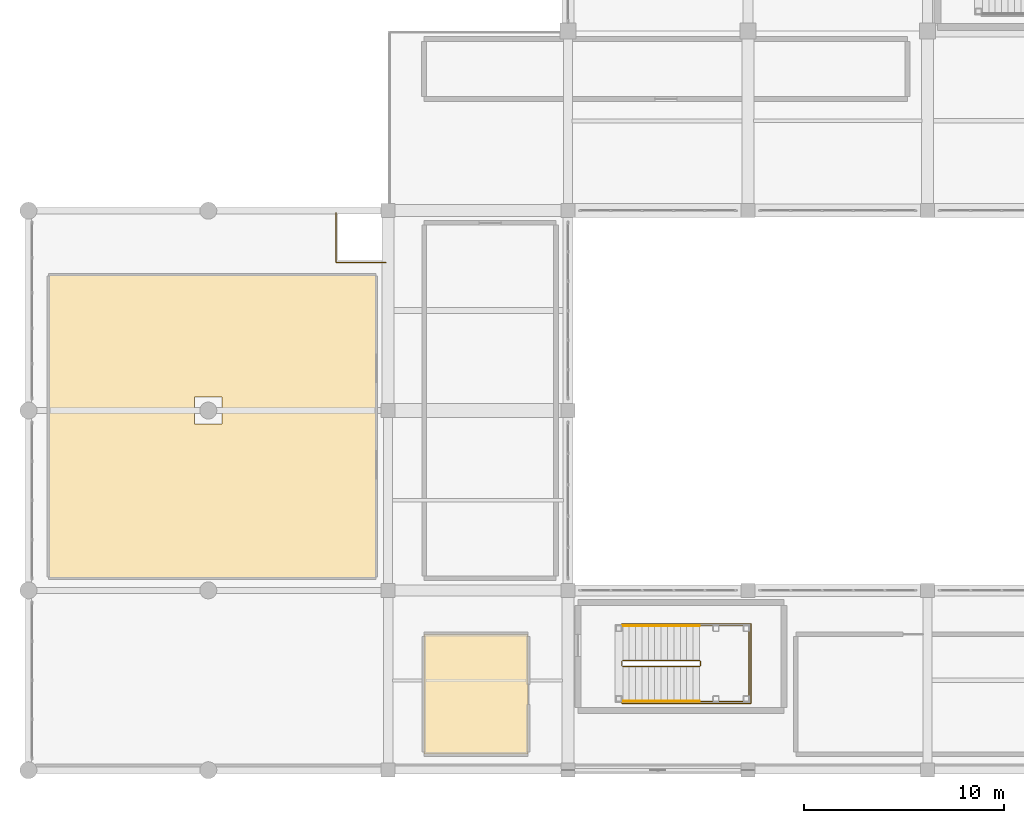
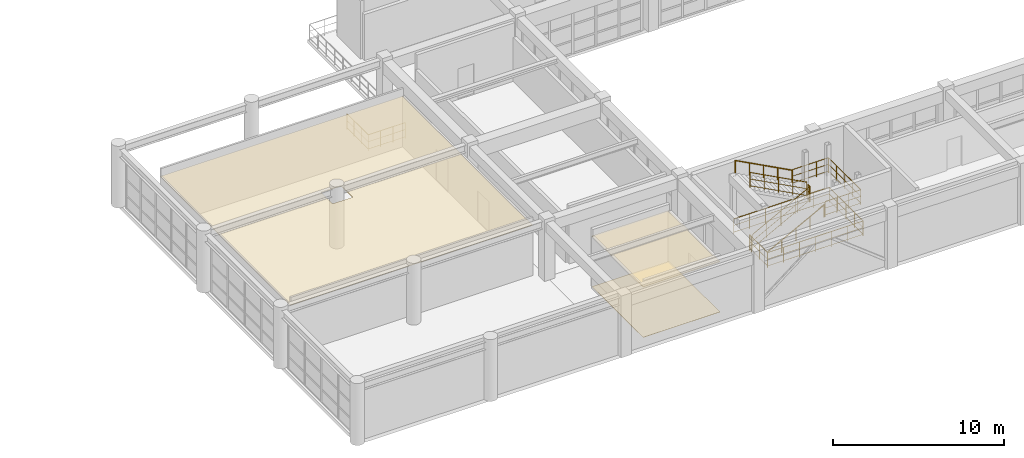
# One storey, part 119 of 133: 9 railings, 3 coverings.
"""IFC4 building model written with IfcOpenShell, lengths in metres."""

from ifc_helpers import new_model, si_unit, direction, frame, origin, origin_2d, place, context, subcontext, project, spatial, polyline, circle, outline, extrude, material, layer, layer_set, type_object, element, save


model = new_model("IFC4")

# Units and contexts
model_context = context("Model", 3, precision=1e-05, world=origin(), true_north=direction((0.0, 1.0)))
body_context = subcontext(model_context, "Body", "Model", "MODEL_VIEW")
ifc_project = project(units=[si_unit("LENGTHUNIT", "METRE"), si_unit("AREAUNIT", "SQUARE_METRE"), si_unit("VOLUMEUNIT", "CUBIC_METRE"), si_unit("PLANEANGLEUNIT", "RADIAN"), si_unit("MASSUNIT", "GRAM", prefix="KILO")], contexts=[model_context])

# Site, building, storey
site_placement = place(None, origin())
site = spatial("IfcSite", under=ifc_project, at=site_placement, CompositionType="ELEMENT")
building_placement = place(site_placement, origin())
building = spatial("IfcBuilding", under=site, at=building_placement, Name="Miravela Opera House", CompositionType="ELEMENT")
storey_placement = place(building_placement, frame((0.0, 0.0, 5.10009765625)))
storey = spatial("IfcBuildingStorey", under=building, at=storey_placement, Name="L01", CompositionType="ELEMENT", Elevation=5.10009765625)

# Coverings
ifc_material_1 = material(Name="Mineral-wool studio acoustic ceiling cloud")
ifc_layer_1 = layer(ifc_material_1, 0.050048828125)
ifc_layer_set_1 = layer_set([ifc_layer_1])
covering_type_1 = type_object("IfcCoveringType", Name="ARC-CEIL-BAFFLE-50", PredefinedType="CEILING", material=ifc_layer_set_1)
covering_1_placement = place(storey_placement, frame((0.0, 0.0, 3.600830078125)))
element("IfcCovering", 1, at=covering_1_placement, inside=storey, type_object=covering_type_1, Name="Principal Soloist Dressing Suite 1 Acoustic Ceiling", PredefinedType="CEILING", context=body_context, shape_type="SweptSolid", body=[
    extrude(outline(polyline([(19.800048828125, 0.800048828125), (25.0, 0.800048828125), (25.0, 6.800048828125), (19.800048828125, 6.800048828125), (19.800048828125, 0.800048828125)])), origin(), (0.0, 0.0, 1.0), 0.050048828125),
])
ifc_material_2 = material(Name="Spanish Colonial coffered lime-plaster ceiling")
ifc_layer_2 = layer(ifc_material_2, 0.0419921875)
ifc_layer_set_2 = layer_set([ifc_layer_2])
covering_type_2 = type_object("IfcCoveringType", Name="ARC-CEIL-COFFER-42", PredefinedType="CEILING", material=ifc_layer_set_2)
covering_2_placement = place(storey_placement, frame((0.0, 0.0, 3.536865234375)))
element("IfcCovering", 2, at=covering_2_placement, inside=storey, type_object=covering_type_2, Name="Hispanic Music Heritage Exhibition Gallery Acoustic Ceiling", PredefinedType="CEILING", context=body_context, shape_type="SweptSolid", body=[
    extrude(outline(polyline([(1.0, 9.60009765625), (17.39990234375, 9.60009765625), (17.39990234375, 24.800048828125), (1.0, 24.800048828125), (1.0, 9.60009765625)]), holes=[polyline([(8.319091796875, 17.319091796875), (9.680908203125, 17.319091796875), (9.680908203125, 18.680908203125), (8.319091796875, 18.680908203125), (8.319091796875, 17.319091796875)])]), origin(), (0.0, 0.0, 1.0), 0.0419921875),
])
ifc_material_3 = material(Name="Acoustic oiled mahogany auditorium flooring")
ifc_layer_3 = layer(ifc_material_3, 0.01904296875)
ifc_layer_set_3 = layer_set([ifc_layer_3])
covering_type_3 = type_object("IfcCoveringType", Name="ARC-FLR-HARDWOOD-19", PredefinedType="FLOORING", material=ifc_layer_set_3)
covering_3_placement = place(storey_placement, origin())
element("IfcCovering", 3, at=covering_3_placement, inside=storey, type_object=covering_type_3, Name="Principal Soloist Dressing Suite 1 Finish Flooring", PredefinedType="FLOORING", context=body_context, shape_type="SweptSolid", body=[
    extrude(outline(polyline([(19.800048828125, 0.800048828125), (25.0, 0.800048828125), (25.0, 6.800048828125), (19.800048828125, 6.800048828125), (19.800048828125, 0.800048828125)])), origin(), (0.0, 0.0, 1.0), 0.018798828125),
])

# Railings
ifc_material_4 = material(Name="Brushed bronze continuous stair handrail")
railing_type_1 = type_object("IfcRailingType", Name="ARC-RAIL-HAND-900", PredefinedType="HANDRAIL", material=ifc_material_4)
railing_1_placement = place(storey_placement, frame((29.739990234375, 3.449951171875, 0.169921875)))
element("IfcRailing", 4, at=railing_1_placement, inside=storey, type_object=railing_type_1, Name="L01 ST-08 stair handrail 1", PredefinedType="HANDRAIL", context=body_context, shape_type="SweptSolid", body=[
    extrude(circle(Radius=0.02392578125, at=origin_2d()), frame((0.0, 0.0, 0.8759765625), z_axis=(0.883116446401, 0.0, 0.469153857596), x_axis=(0.0, 1.0, 0.0)), (0.0, 0.0, 1.0), 4.348388671875),
    extrude(circle(Radius=0.02099609375, at=origin_2d()), origin(), (0.0, 0.0, 1.0), 0.851806640625),
    extrude(circle(Radius=0.02099609375, at=origin_2d()), frame((0.9599609375, 0.0, 0.510009765625)), (0.0, 0.0, 1.0), 0.851806640625),
    extrude(circle(Radius=0.02099609375, at=origin_2d()), frame((1.919921875, 0.0, 1.02001953125)), (0.0, 0.0, 1.0), 0.851806640625),
    extrude(circle(Radius=0.02099609375, at=origin_2d()), frame((2.880126953125, 0.0, 1.530029296875)), (0.0, 0.0, 1.0), 0.851806640625),
    extrude(circle(Radius=0.02099609375, at=origin_2d()), frame((3.840087890625, 0.0, 2.0400390625)), (0.0, 0.0, 1.0), 0.851806640625),
])
railing_2_placement = place(storey_placement, frame((33.580078125, 7.22998046875, 2.3798828125)))
element("IfcRailing", 5, at=railing_2_placement, inside=storey, type_object=railing_type_1, Name="L01 ST-08 stair handrail 2", PredefinedType="HANDRAIL", context=body_context, shape_type="SweptSolid", body=[
    extrude(circle(Radius=0.02392578125, at=origin_2d()), frame((0.0, 0.0, 0.8759765625), z_axis=(-0.883116446401, 0.0, 0.469153857596), x_axis=(0.0, -1.0, 0.0)), (0.0, 0.0, 1.0), 4.348388671875),
    extrude(circle(Radius=0.02099609375, at=origin_2d()), origin(), (0.0, 0.0, 1.0), 0.851806640625),
    extrude(circle(Radius=0.02099609375, at=origin_2d()), frame((-0.9599609375, 0.0, 0.510009765625)), (0.0, 0.0, 1.0), 0.851806640625),
    extrude(circle(Radius=0.02099609375, at=origin_2d()), frame((-1.919921875, 0.0, 1.02001953125)), (0.0, 0.0, 1.0), 0.851806640625),
    extrude(circle(Radius=0.02099609375, at=origin_2d()), frame((-2.880126953125, 0.0, 1.530029296875)), (0.0, 0.0, 1.0), 0.851806640625),
    extrude(circle(Radius=0.02099609375, at=origin_2d()), frame((-3.840087890625, 0.0, 2.0400390625)), (0.0, 0.0, 1.0), 0.851806640625),
])
ifc_material_5 = material(Name="Painted wrought-iron stair guardrail")
railing_type_2 = type_object("IfcRailingType", Name="ARC-RAIL-STAIR-GUARD", PredefinedType="GUARDRAIL", material=ifc_material_5)
railing_3_placement = place(storey_placement, frame((29.739990234375, 5.18994140625, 0.169921875)))
element("IfcRailing", 6, at=railing_3_placement, inside=storey, type_object=railing_type_2, Name="L01 ST-08 stair guard 1", PredefinedType="GUARDRAIL", context=body_context, shape_type="SweptSolid", body=[
    extrude(circle(Radius=0.02392578125, at=origin_2d()), frame((0.0, 0.0, 1.076171875), z_axis=(0.883116446401, 0.0, 0.469153857596), x_axis=(0.0, 1.0, 0.0)), (0.0, 0.0, 1.0), 4.348388671875),
    extrude(circle(Radius=0.01611328125, at=origin_2d()), frame((0.0, 0.0, 0.60498046875), z_axis=(0.883116446401, 0.0, 0.469153857596), x_axis=(0.0, 1.0, 0.0)), (0.0, 0.0, 1.0), 4.348388671875),
    extrude(circle(Radius=0.01611328125, at=origin_2d()), frame((0.0, 0.0, 0.1201171875), z_axis=(0.883116446401, 0.0, 0.469153857596), x_axis=(0.0, 1.0, 0.0)), (0.0, 0.0, 1.0), 4.348388671875),
    extrude(circle(Radius=0.02099609375, at=origin_2d()), origin(), (0.0, 0.0, 1.0), 1.052001953125),
    extrude(circle(Radius=0.02099609375, at=origin_2d()), frame((0.9599609375, 0.0, 0.510009765625)), (0.0, 0.0, 1.0), 1.052001953125),
    extrude(circle(Radius=0.02099609375, at=origin_2d()), frame((1.919921875, 0.0, 1.02001953125)), (0.0, 0.0, 1.0), 1.052001953125),
    extrude(circle(Radius=0.02099609375, at=origin_2d()), frame((2.880126953125, 0.0, 1.530029296875)), (0.0, 0.0, 1.0), 1.052001953125),
    extrude(circle(Radius=0.02099609375, at=origin_2d()), frame((3.840087890625, 0.0, 2.0400390625)), (0.0, 0.0, 1.0), 1.052001953125),
])
railing_4_placement = place(storey_placement, frame((33.6298828125, 5.239990234375, 2.2099609375)))
element("IfcRailing", 7, at=railing_4_placement, inside=storey, type_object=railing_type_2, Name="L01 ST-08 stair guard 2", PredefinedType="GUARDRAIL", context=body_context, shape_type="SweptSolid", body=[
    extrude(circle(Radius=0.02392578125, at=origin_2d()), frame((0.0, 0.0, 1.076171875), z_axis=(0.0, 1.0, 0.0), x_axis=(-1.0, 0.0, 0.0)), (0.0, 0.0, 1.0), 0.199951171875),
    extrude(circle(Radius=0.01611328125, at=origin_2d()), frame((0.0, 0.0, 0.60498046875), z_axis=(0.0, 1.0, 0.0), x_axis=(-1.0, 0.0, 0.0)), (0.0, 0.0, 1.0), 0.199951171875),
    extrude(circle(Radius=0.01611328125, at=origin_2d()), frame((0.0, 0.0, 0.1201171875), z_axis=(0.0, 1.0, 0.0), x_axis=(-1.0, 0.0, 0.0)), (0.0, 0.0, 1.0), 0.199951171875),
    extrude(circle(Radius=0.02099609375, at=origin_2d()), origin(), (0.0, 0.0, 1.0), 1.052001953125),
    extrude(circle(Radius=0.02099609375, at=origin_2d()), frame((0.0, 0.199951171875, 0.0)), (0.0, 0.0, 1.0), 1.052001953125),
])
railing_5_placement = place(storey_placement, frame((33.580078125, 5.489990234375, 2.3798828125)))
element("IfcRailing", 8, at=railing_5_placement, inside=storey, type_object=railing_type_2, Name="L01 ST-08 stair guard 3", PredefinedType="GUARDRAIL", context=body_context, shape_type="SweptSolid", body=[
    extrude(circle(Radius=0.02392578125, at=origin_2d()), frame((0.0, 0.0, 1.076171875), z_axis=(-0.883116446401, 0.0, 0.469153857596), x_axis=(0.0, -1.0, 0.0)), (0.0, 0.0, 1.0), 4.348388671875),
    extrude(circle(Radius=0.01611328125, at=origin_2d()), frame((0.0, 0.0, 0.60498046875), z_axis=(-0.883116446401, 0.0, 0.469153857596), x_axis=(0.0, -1.0, 0.0)), (0.0, 0.0, 1.0), 4.348388671875),
    extrude(circle(Radius=0.01611328125, at=origin_2d()), frame((0.0, 0.0, 0.1201171875), z_axis=(-0.883116446401, 0.0, 0.469153857596), x_axis=(0.0, -1.0, 0.0)), (0.0, 0.0, 1.0), 4.348388671875),
    extrude(circle(Radius=0.02099609375, at=origin_2d()), origin(), (0.0, 0.0, 1.0), 1.052001953125),
    extrude(circle(Radius=0.02099609375, at=origin_2d()), frame((-0.9599609375, 0.0, 0.510009765625)), (0.0, 0.0, 1.0), 1.052001953125),
    extrude(circle(Radius=0.02099609375, at=origin_2d()), frame((-1.919921875, 0.0, 1.02001953125)), (0.0, 0.0, 1.0), 1.052001953125),
    extrude(circle(Radius=0.02099609375, at=origin_2d()), frame((-2.880126953125, 0.0, 1.530029296875)), (0.0, 0.0, 1.0), 1.052001953125),
    extrude(circle(Radius=0.02099609375, at=origin_2d()), frame((-3.840087890625, 0.0, 2.0400390625)), (0.0, 0.0, 1.0), 1.052001953125),
])
railing_6_placement = place(storey_placement, frame((29.68994140625, 5.239990234375, 0.0)))
element("IfcRailing", 9, at=railing_6_placement, inside=storey, type_object=railing_type_2, Name="L01 ST-08 stair guard 4", PredefinedType="GUARDRAIL", context=body_context, shape_type="SweptSolid", body=[
    extrude(circle(Radius=0.02392578125, at=origin_2d()), frame((0.0, 0.0, 1.076171875), z_axis=(0.0, 1.0, 0.0), x_axis=(-1.0, 0.0, 0.0)), (0.0, 0.0, 1.0), 0.199951171875),
    extrude(circle(Radius=0.01611328125, at=origin_2d()), frame((0.0, 0.0, 0.60498046875), z_axis=(0.0, 1.0, 0.0), x_axis=(-1.0, 0.0, 0.0)), (0.0, 0.0, 1.0), 0.199951171875),
    extrude(circle(Radius=0.01611328125, at=origin_2d()), frame((0.0, 0.0, 0.1201171875), z_axis=(0.0, 1.0, 0.0), x_axis=(-1.0, 0.0, 0.0)), (0.0, 0.0, 1.0), 0.199951171875),
    extrude(circle(Radius=0.02099609375, at=origin_2d()), origin(), (0.0, 0.0, 1.0), 1.052001953125),
    extrude(circle(Radius=0.02099609375, at=origin_2d()), frame((0.0, 0.199951171875, 0.0)), (0.0, 0.0, 1.0), 1.052001953125),
])
railing_7_placement = place(storey_placement, frame((33.6298828125, 3.449951171875, 2.2099609375)))
element("IfcRailing", 10, at=railing_7_placement, inside=storey, type_object=railing_type_2, Name="Stair ST-08 Half-Landing Perimeter Guard (L01) 0077", PredefinedType="GUARDRAIL", context=body_context, shape_type="SweptSolid", body=[
    extrude(circle(Radius=0.02392578125, at=origin_2d()), frame((0.0, 0.0, 1.076171875), z_axis=(1.0, 0.0, 0.0), x_axis=(0.0, 1.0, 0.0)), (0.0, 0.0, 1.0), 2.420166015625),
    extrude(circle(Radius=0.01611328125, at=origin_2d()), frame((0.0, 0.0, 0.60498046875), z_axis=(1.0, 0.0, 0.0), x_axis=(0.0, 1.0, 0.0)), (0.0, 0.0, 1.0), 2.420166015625),
    extrude(circle(Radius=0.01611328125, at=origin_2d()), frame((0.0, 0.0, 0.1201171875), z_axis=(1.0, 0.0, 0.0), x_axis=(0.0, 1.0, 0.0)), (0.0, 0.0, 1.0), 2.420166015625),
    extrude(circle(Radius=0.02392578125, at=origin_2d()), frame((2.420166015625, 0.0, 1.076171875), z_axis=(0.0, 1.0, 0.0), x_axis=(-1.0, 0.0, 0.0)), (0.0, 0.0, 1.0), 3.780029296875),
    extrude(circle(Radius=0.01611328125, at=origin_2d()), frame((2.420166015625, 0.0, 0.60498046875), z_axis=(0.0, 1.0, 0.0), x_axis=(-1.0, 0.0, 0.0)), (0.0, 0.0, 1.0), 3.780029296875),
    extrude(circle(Radius=0.01611328125, at=origin_2d()), frame((2.420166015625, 0.0, 0.1201171875), z_axis=(0.0, 1.0, 0.0), x_axis=(-1.0, 0.0, 0.0)), (0.0, 0.0, 1.0), 3.780029296875),
    extrude(circle(Radius=0.02392578125, at=origin_2d()), frame((2.420166015625, 3.780029296875, 1.076171875), z_axis=(-1.0, 0.0, 0.0), x_axis=(0.0, -1.0, 0.0)), (0.0, 0.0, 1.0), 2.420166015625),
    extrude(circle(Radius=0.01611328125, at=origin_2d()), frame((2.420166015625, 3.780029296875, 0.60498046875), z_axis=(-1.0, 0.0, 0.0), x_axis=(0.0, -1.0, 0.0)), (0.0, 0.0, 1.0), 2.420166015625),
    extrude(circle(Radius=0.01611328125, at=origin_2d()), frame((2.420166015625, 3.780029296875, 0.1201171875), z_axis=(-1.0, 0.0, 0.0), x_axis=(0.0, -1.0, 0.0)), (0.0, 0.0, 1.0), 2.420166015625),
    extrude(circle(Radius=0.02099609375, at=origin_2d()), origin(), (0.0, 0.0, 1.0), 1.052001953125),
    extrude(circle(Radius=0.02099609375, at=origin_2d()), frame((0.806640625, 0.0, 0.0)), (0.0, 0.0, 1.0), 1.052001953125),
    extrude(circle(Radius=0.02099609375, at=origin_2d()), frame((1.613525390625, 0.0, 0.0)), (0.0, 0.0, 1.0), 1.052001953125),
    extrude(circle(Radius=0.02099609375, at=origin_2d()), frame((2.420166015625, 0.0, 0.0)), (0.0, 0.0, 1.0), 1.052001953125),
    extrude(circle(Radius=0.02099609375, at=origin_2d()), frame((2.420166015625, 0.945068359375, 0.0)), (0.0, 0.0, 1.0), 1.052001953125),
    extrude(circle(Radius=0.02099609375, at=origin_2d()), frame((2.420166015625, 1.89013671875, 0.0)), (0.0, 0.0, 1.0), 1.052001953125),
    extrude(circle(Radius=0.02099609375, at=origin_2d()), frame((2.420166015625, 2.8349609375, 0.0)), (0.0, 0.0, 1.0), 1.052001953125),
    extrude(circle(Radius=0.02099609375, at=origin_2d()), frame((2.420166015625, 3.780029296875, 0.0)), (0.0, 0.0, 1.0), 1.052001953125),
    extrude(circle(Radius=0.02099609375, at=origin_2d()), frame((1.613525390625, 3.780029296875, 0.0)), (0.0, 0.0, 1.0), 1.052001953125),
    extrude(circle(Radius=0.02099609375, at=origin_2d()), frame((0.806640625, 3.780029296875, 0.0)), (0.0, 0.0, 1.0), 1.052001953125),
    extrude(circle(Radius=0.02099609375, at=origin_2d()), frame((0.0, 3.780029296875, 0.0)), (0.0, 0.0, 1.0), 1.052001953125),
])
railing_8_placement = place(storey_placement, frame((29.68994140625, 5.27001953125, 0.0)))
element("IfcRailing", 11, at=railing_8_placement, inside=storey, type_object=railing_type_2, Name="Stair ST-08 Well Slab Opening Guard (L01) 0079", PredefinedType="GUARDRAIL", context=body_context, shape_type="SweptSolid", body=[
    extrude(circle(Radius=0.02392578125, at=origin_2d()), frame((0.0, 0.0, 1.076171875), z_axis=(0.0, -1.0, 0.0), x_axis=(1.0, 0.0, 0.0)), (0.0, 0.0, 1.0), 1.919921875),
    extrude(circle(Radius=0.01611328125, at=origin_2d()), frame((0.0, 0.0, 0.60498046875), z_axis=(0.0, -1.0, 0.0), x_axis=(1.0, 0.0, 0.0)), (0.0, 0.0, 1.0), 1.919921875),
    extrude(circle(Radius=0.01611328125, at=origin_2d()), frame((0.0, 0.0, 0.1201171875), z_axis=(0.0, -1.0, 0.0), x_axis=(1.0, 0.0, 0.0)), (0.0, 0.0, 1.0), 1.919921875),
    extrude(circle(Radius=0.02392578125, at=origin_2d()), frame((0.0, -1.919921875, 1.076171875), z_axis=(1.0, 0.0, 0.0), x_axis=(0.0, 1.0, 0.0)), (0.0, 0.0, 1.0), 6.4599609375),
    extrude(circle(Radius=0.01611328125, at=origin_2d()), frame((0.0, -1.919921875, 0.60498046875), z_axis=(1.0, 0.0, 0.0), x_axis=(0.0, 1.0, 0.0)), (0.0, 0.0, 1.0), 6.4599609375),
    extrude(circle(Radius=0.01611328125, at=origin_2d()), frame((0.0, -1.919921875, 0.1201171875), z_axis=(1.0, 0.0, 0.0), x_axis=(0.0, 1.0, 0.0)), (0.0, 0.0, 1.0), 6.4599609375),
    extrude(circle(Radius=0.02392578125, at=origin_2d()), frame((6.4599609375, -1.919921875, 1.076171875), z_axis=(0.0, 1.0, 0.0), x_axis=(-1.0, 0.0, 0.0)), (0.0, 0.0, 1.0), 3.97998046875),
    extrude(circle(Radius=0.01611328125, at=origin_2d()), frame((6.4599609375, -1.919921875, 0.60498046875), z_axis=(0.0, 1.0, 0.0), x_axis=(-1.0, 0.0, 0.0)), (0.0, 0.0, 1.0), 3.97998046875),
    extrude(circle(Radius=0.01611328125, at=origin_2d()), frame((6.4599609375, -1.919921875, 0.1201171875), z_axis=(0.0, 1.0, 0.0), x_axis=(-1.0, 0.0, 0.0)), (0.0, 0.0, 1.0), 3.97998046875),
    extrude(circle(Radius=0.02392578125, at=origin_2d()), frame((6.4599609375, 2.06005859375, 1.076171875), z_axis=(-1.0, 0.0, 0.0), x_axis=(0.0, -1.0, 0.0)), (0.0, 0.0, 1.0), 6.4599609375),
    extrude(circle(Radius=0.01611328125, at=origin_2d()), frame((6.4599609375, 2.06005859375, 0.60498046875), z_axis=(-1.0, 0.0, 0.0), x_axis=(0.0, -1.0, 0.0)), (0.0, 0.0, 1.0), 6.4599609375),
    extrude(circle(Radius=0.01611328125, at=origin_2d()), frame((6.4599609375, 2.06005859375, 0.1201171875), z_axis=(-1.0, 0.0, 0.0), x_axis=(0.0, -1.0, 0.0)), (0.0, 0.0, 1.0), 6.4599609375),
    extrude(circle(Radius=0.02099609375, at=origin_2d()), origin(), (0.0, 0.0, 1.0), 1.052001953125),
    extrude(circle(Radius=0.02099609375, at=origin_2d()), frame((0.0, -0.9599609375, 0.0)), (0.0, 0.0, 1.0), 1.052001953125),
    extrude(circle(Radius=0.02099609375, at=origin_2d()), frame((0.0, -1.919921875, 0.0)), (0.0, 0.0, 1.0), 1.052001953125),
    extrude(circle(Radius=0.02099609375, at=origin_2d()), frame((1.07666015625, -1.919921875, 0.0)), (0.0, 0.0, 1.0), 1.052001953125),
    extrude(circle(Radius=0.02099609375, at=origin_2d()), frame((2.1533203125, -1.919921875, 0.0)), (0.0, 0.0, 1.0), 1.052001953125),
    extrude(circle(Radius=0.02099609375, at=origin_2d()), frame((3.22998046875, -1.919921875, 0.0)), (0.0, 0.0, 1.0), 1.052001953125),
    extrude(circle(Radius=0.02099609375, at=origin_2d()), frame((4.306640625, -1.919921875, 0.0)), (0.0, 0.0, 1.0), 1.052001953125),
    extrude(circle(Radius=0.02099609375, at=origin_2d()), frame((5.38330078125, -1.919921875, 0.0)), (0.0, 0.0, 1.0), 1.052001953125),
    extrude(circle(Radius=0.02099609375, at=origin_2d()), frame((6.4599609375, -1.919921875, 0.0)), (0.0, 0.0, 1.0), 1.052001953125),
    extrude(circle(Radius=0.02099609375, at=origin_2d()), frame((6.4599609375, -0.9248046875, 0.0)), (0.0, 0.0, 1.0), 1.052001953125),
    extrude(circle(Radius=0.02099609375, at=origin_2d()), frame((6.4599609375, 0.070068359375, 0.0)), (0.0, 0.0, 1.0), 1.052001953125),
    extrude(circle(Radius=0.02099609375, at=origin_2d()), frame((6.4599609375, 1.06494140625, 0.0)), (0.0, 0.0, 1.0), 1.052001953125),
    extrude(circle(Radius=0.02099609375, at=origin_2d()), frame((6.4599609375, 2.06005859375, 0.0)), (0.0, 0.0, 1.0), 1.052001953125),
    extrude(circle(Radius=0.02099609375, at=origin_2d()), frame((5.38330078125, 2.06005859375, 0.0)), (0.0, 0.0, 1.0), 1.052001953125),
    extrude(circle(Radius=0.02099609375, at=origin_2d()), frame((4.306640625, 2.06005859375, 0.0)), (0.0, 0.0, 1.0), 1.052001953125),
    extrude(circle(Radius=0.02099609375, at=origin_2d()), frame((3.22998046875, 2.06005859375, 0.0)), (0.0, 0.0, 1.0), 1.052001953125),
    extrude(circle(Radius=0.02099609375, at=origin_2d()), frame((2.1533203125, 2.06005859375, 0.0)), (0.0, 0.0, 1.0), 1.052001953125),
    extrude(circle(Radius=0.02099609375, at=origin_2d()), frame((1.07666015625, 2.06005859375, 0.0)), (0.0, 0.0, 1.0), 1.052001953125),
    extrude(circle(Radius=0.02099609375, at=origin_2d()), frame((0.0, 2.06005859375, 0.0)), (0.0, 0.0, 1.0), 1.052001953125),
])
ifc_material_6 = material(Name="Spanish Colonial wrought-iron terrace guard")
railing_type_3 = type_object("IfcRailingType", Name="ARC-RAIL-TERR-GUARD", PredefinedType="GUARDRAIL", material=ifc_material_6)
railing_9_placement = place(storey_placement, frame((17.89990234375, 25.39990234375, 0.0)))
element("IfcRailing", 12, at=railing_9_placement, inside=storey, type_object=railing_type_3, Name="SLAB-L01-V5S Stepped Corner Guardrail 0177", PredefinedType="GUARDRAIL", context=body_context, shape_type="SweptSolid", body=[
    extrude(circle(Radius=0.02685546875, at=origin_2d()), frame((0.0, 0.0, 1.1328125), z_axis=(-1.0, 0.0, 0.0), x_axis=(0.0, -1.0, 0.0)), (0.0, 0.0, 1.0), 2.5),
    extrude(circle(Radius=0.01611328125, at=origin_2d()), frame((0.0, 0.0, 0.637939453125), z_axis=(-1.0, 0.0, 0.0), x_axis=(0.0, -1.0, 0.0)), (0.0, 0.0, 1.0), 2.5),
    extrude(circle(Radius=0.01611328125, at=origin_2d()), frame((0.0, 0.0, 0.1201171875), z_axis=(-1.0, 0.0, 0.0), x_axis=(0.0, -1.0, 0.0)), (0.0, 0.0, 1.0), 2.5),
    extrude(circle(Radius=0.02685546875, at=origin_2d()), frame((-2.5, 0.0, 1.1328125), z_axis=(0.0, 1.0, 0.0), x_axis=(-1.0, 0.0, 0.0)), (0.0, 0.0, 1.0), 2.5),
    extrude(circle(Radius=0.01611328125, at=origin_2d()), frame((-2.5, 0.0, 0.637939453125), z_axis=(0.0, 1.0, 0.0), x_axis=(-1.0, 0.0, 0.0)), (0.0, 0.0, 1.0), 2.5),
    extrude(circle(Radius=0.01611328125, at=origin_2d()), frame((-2.5, 0.0, 0.1201171875), z_axis=(0.0, 1.0, 0.0), x_axis=(-1.0, 0.0, 0.0)), (0.0, 0.0, 1.0), 2.5),
    extrude(circle(Radius=0.02099609375, at=origin_2d()), origin(), (0.0, 0.0, 1.0), 1.10595703125),
    extrude(circle(Radius=0.02099609375, at=origin_2d()), frame((-0.833251953125, 0.0, 0.0)), (0.0, 0.0, 1.0), 1.10595703125),
    extrude(circle(Radius=0.02099609375, at=origin_2d()), frame((-1.666748046875, 0.0, 0.0)), (0.0, 0.0, 1.0), 1.10595703125),
    extrude(circle(Radius=0.02099609375, at=origin_2d()), frame((-2.5, 0.0, 0.0)), (0.0, 0.0, 1.0), 1.10595703125),
    extrude(circle(Radius=0.02099609375, at=origin_2d()), frame((-2.5, 0.833251953125, 0.0)), (0.0, 0.0, 1.0), 1.10595703125),
    extrude(circle(Radius=0.02099609375, at=origin_2d()), frame((-2.5, 1.666748046875, 0.0)), (0.0, 0.0, 1.0), 1.10595703125),
    extrude(circle(Radius=0.02099609375, at=origin_2d()), frame((-2.5, 2.5, 0.0)), (0.0, 0.0, 1.0), 1.10595703125),
])

save(model, "model.ifc")
